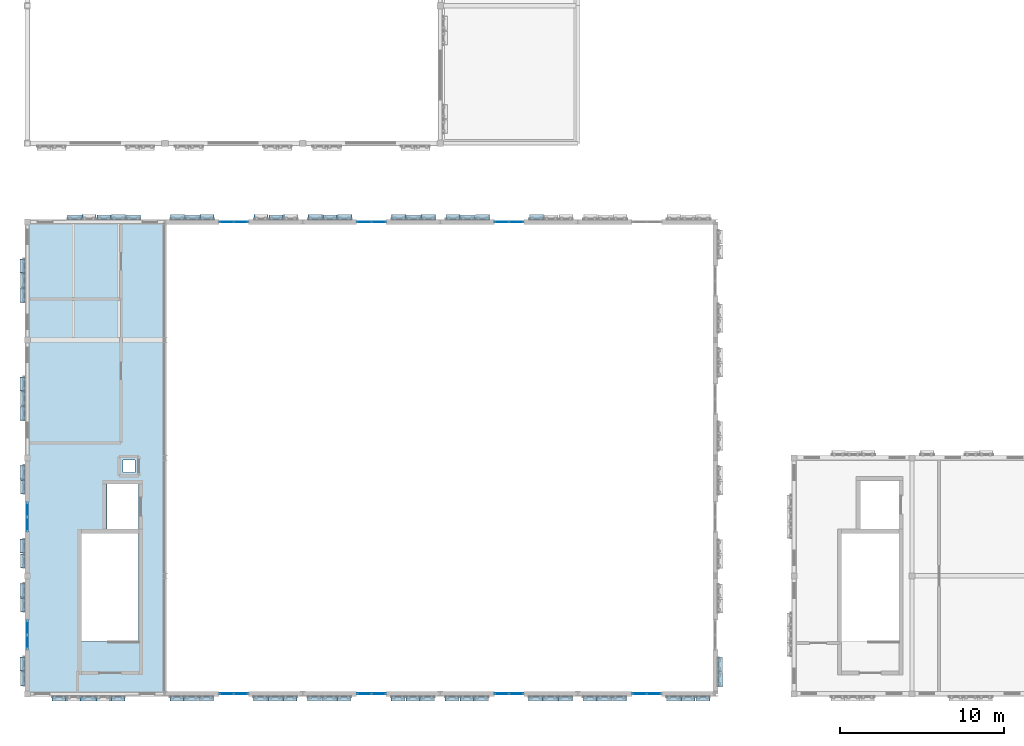
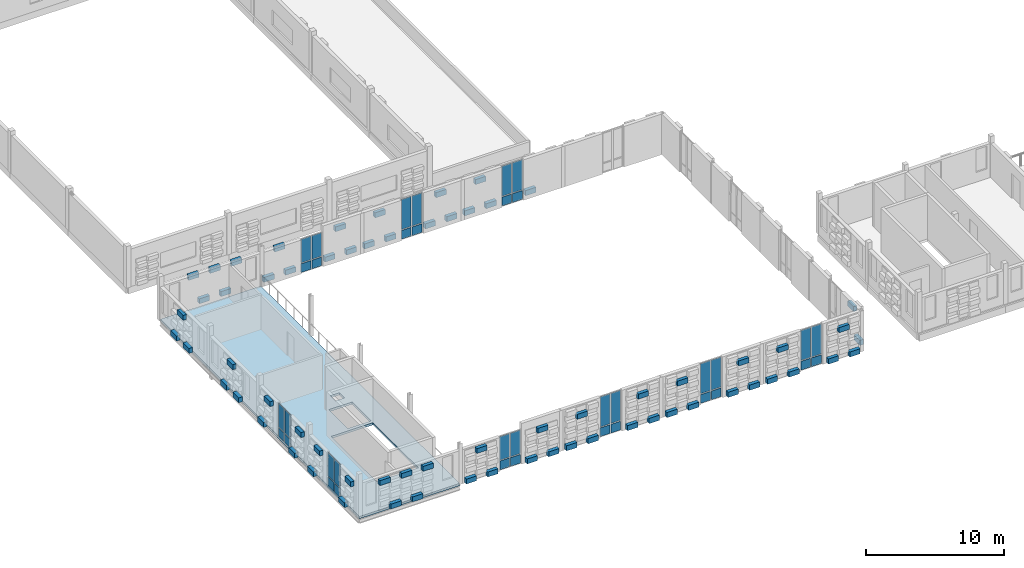
# One storey, part 22 of 57: 102 plates, 1 slab, 9 elements without a shape of their own.
"""IFC4 building model written with IfcOpenShell, lengths in metres."""

import ifcopenshell
import ifcopenshell.guid

model = None  # the IFC model being written
_history = None  # IfcOwnerHistory: only IFC2X3 demands one
_inside = {}  # id of a spatial element -> (the spatial element, [elements in it])
_under = {}  # id of a project, library or spatial element -> (it, [spatial elements below it])
_declared = {}  # id of a project -> (the project, [libraries it declares])
_typed = {}  # id of a type object -> (the type object, [elements of that type])
_made_of = {}  # id of a material, layer set ... -> (it, [elements and type objects made of it])


def new_model(schema):
    """Start an empty IFC model of exactly this schema.

    Asked for "IFC4X3", IfcOpenShell would pick the latest addendum, in which some entities
    have other attributes; the version numbers below select the first issue.
    IFC2X3 requires an IfcOwnerHistory on every rooted entity: one is made here for all.
    """
    global model, _history
    if schema == "IFC4X3":
        model = ifcopenshell.file(schema_version=(4, 3, 0, 0))
    else:
        model = ifcopenshell.file(schema=schema)
    _inside.clear()
    _under.clear()
    _declared.clear()
    _typed.clear()
    _made_of.clear()
    _history = None
    if model.schema == "IFC2X3":
        org = make("IfcOrganization", Name="unknown")
        user = make(
            "IfcPersonAndOrganization",
            ThePerson=make("IfcPerson", FamilyName="unknown"),
            TheOrganization=org,
        )
        app = make(
            "IfcApplication",
            ApplicationDeveloper=org,
            Version="unknown",
            ApplicationFullName="unknown",
            ApplicationIdentifier="unknown",
        )
        _history = make(
            "IfcOwnerHistory",
            OwningUser=user,
            OwningApplication=app,
            ChangeAction="ADDED",
            CreationDate=0,
        )
    return model


def make(cls, **values):
    """One entity of the class cls with the attributes given. An attribute that is None is left unset."""
    return model.create_entity(
        cls, **{name: value for name, value in values.items() if value is not None}
    )


def rooted(cls, **values):
    """An entity with a GlobalId (a new one), such as an element, a storey or a relation."""
    return make(cls, GlobalId=ifcopenshell.guid.new(), OwnerHistory=_history, **values)


def si_unit(unit_type, name, prefix=None):
    """IfcSIUnit, for example si_unit("LENGTHUNIT", "METRE", prefix="MILLI")."""
    return make("IfcSIUnit", UnitType=unit_type, Prefix=prefix, Name=name)


def assignment(units):
    """IfcUnitAssignment: the units of a project."""
    return None if units is None else make("IfcUnitAssignment", Units=units)


def point(xyz):
    """IfcCartesianPoint."""
    return None if xyz is None else make("IfcCartesianPoint", Coordinates=xyz)


def direction(xyz):
    """IfcDirection."""
    return None if xyz is None else make("IfcDirection", DirectionRatios=xyz)


def frame(location, z_axis=None, x_axis=None):
    """IfcAxis2Placement3D, a coordinate frame: its origin and axes. An axis left out is left unset."""
    return make(
        "IfcAxis2Placement3D",
        Location=point(location),
        Axis=direction(z_axis),
        RefDirection=direction(x_axis),
    )


def frame_2d(location, x_axis=None):
    """IfcAxis2Placement2D, a coordinate frame in the plane: its origin and x axis."""
    return make(
        "IfcAxis2Placement2D", Location=point(location), RefDirection=direction(x_axis)
    )


def origin():
    """The frame at (0, 0, 0) with its axes left unset."""
    return frame((0.0, 0.0, 0.0))


def origin_2d():
    """The frame at (0, 0) in the plane with its x axis left unset."""
    return frame_2d((0.0, 0.0))


def place(relative_to, where):
    """IfcLocalPlacement: puts the frame where relative to a parent placement (None: the world)."""
    return make(
        "IfcLocalPlacement", PlacementRelTo=relative_to, RelativePlacement=where
    )


def context(
    kind, dimensions, precision=None, world=None, true_north=None, identifier=None
):
    """IfcGeometricRepresentationContext, for example the 3D "Model" context."""
    return make(
        "IfcGeometricRepresentationContext",
        ContextIdentifier=identifier,
        ContextType=kind,
        CoordinateSpaceDimension=dimensions,
        Precision=precision,
        WorldCoordinateSystem=world,
        TrueNorth=true_north,
    )


def subcontext(parent, identifier, kind, view, scale=None):
    """IfcGeometricRepresentationSubContext, for example "Body" below "Model"."""
    return make(
        "IfcGeometricRepresentationSubContext",
        ContextIdentifier=identifier,
        ContextType=kind,
        ParentContext=parent,
        TargetScale=scale,
        TargetView=view,
    )


def project(units=None, contexts=None):
    """IfcProject with its units and contexts."""
    return rooted(
        "IfcProject",
        Name="project",
        RepresentationContexts=contexts,
        UnitsInContext=assignment(units),
    )


def spatial(cls, under=None, at=None, **own):
    """A site, building, storey or space (cls), placed at a placement, below another one or the project."""
    s = rooted(cls, ObjectPlacement=at, **own)
    if under is not None:
        _under.setdefault(under.id(), (under, []))[1].append(s)
    return s


def polyline(points):
    """IfcPolyline through the points."""
    return make("IfcPolyline", Points=[point(p) for p in points])


def profile(cls, at=None, kind="AREA", **sizes):
    """A parametric profile (cls). Its sizes go by their IFC names, for example OverallWidth=200.0."""
    return make(cls, ProfileType=kind, Position=at, **sizes)


def rectangle(**sizes):
    """IfcRectangleProfileDef."""
    return profile("IfcRectangleProfileDef", **sizes)


def outline(outer, holes=None, kind="AREA"):
    """IfcArbitraryClosedProfileDef: a profile drawn as a closed curve; with holes, ...WithVoids."""
    if holes is None:
        return make("IfcArbitraryClosedProfileDef", ProfileType=kind, OuterCurve=outer)
    return make(
        "IfcArbitraryProfileDefWithVoids",
        ProfileType=kind,
        OuterCurve=outer,
        InnerCurves=holes,
    )


def extrude(swept, where, along, depth):
    """IfcExtrudedAreaSolid: the profile swept, set in the frame where, extruded along a direction by depth."""
    return make(
        "IfcExtrudedAreaSolid",
        SweptArea=swept,
        Position=where,
        ExtrudedDirection=direction(along),
        Depth=depth,
    )


def shape(context_of_items, identifier, shape_type, items):
    """IfcShapeRepresentation: the items that make up one representation, for example the "Body"."""
    return make(
        "IfcShapeRepresentation",
        ContextOfItems=context_of_items,
        RepresentationIdentifier=identifier,
        RepresentationType=shape_type,
        Items=items,
    )


def material(Name=None, Category=None):
    """IfcMaterial."""
    return make("IfcMaterial", Name=Name, Category=Category)


def layer(
    of_material, thickness, ventilated=None, Name=None, Category=None, Priority=None
):
    """IfcMaterialLayer: one layer of a wall or slab, of a material (None: an air gap)."""
    return make(
        "IfcMaterialLayer",
        Material=of_material,
        LayerThickness=thickness,
        IsVentilated=ventilated,
        Name=Name,
        Category=Category,
        Priority=Priority,
    )


def layer_set(layers, Name=None):
    """IfcMaterialLayerSet."""
    return make("IfcMaterialLayerSet", MaterialLayers=layers, LayerSetName=Name)


def made_of(thing, what):
    """Note that an element or type object is made of a material, layer set ...; save() writes the relation."""
    if what is not None:
        _made_of.setdefault(what.id(), (what, []))[1].append(thing)
    return thing


def type_object(cls, material=None, **own):
    """A type object (cls), such as IfcWallType, which elements share."""
    return made_of(rooted(cls, **own), material)


def element(
    cls,
    number,
    at=None,
    inside=None,
    cuts=None,
    type_object=None,
    material=None,
    context=None,
    identifier="Body",
    shape_type=None,
    held_by="IfcProductDefinitionShape",
    body=None,
    shapes=None,
    **own,
):
    """One element of the class cls, such as IfcWall. Its Tag is "e" and its number.

    at: its placement. inside: the storey or other place that contains it. cuts: it is an
    opening in that element (IfcRelVoidsElement). A single representation is given by context,
    identifier, shape_type and body (its items); several are given by shapes. held_by: the class
    of the entity that holds the representations. save() writes the other relations.
    """
    e = rooted(cls, Tag="e%d" % number, ObjectPlacement=at, **own)
    if body is not None:
        shapes = [shape(context, identifier, shape_type, body)]
    if shapes is not None:
        e.Representation = make(held_by, Representations=shapes)
    if inside is not None:
        _inside.setdefault(inside.id(), (inside, []))[1].append(e)
    if cuts is not None:
        rooted(
            "IfcRelVoidsElement", RelatingBuildingElement=cuts, RelatedOpeningElement=e
        )
    if type_object is not None:
        _typed.setdefault(type_object.id(), (type_object, []))[1].append(e)
    return made_of(e, material)


def aggregate(whole, parts):
    """IfcRelAggregates: a whole, such as a stair, and the parts it consists of."""
    return rooted("IfcRelAggregates", RelatingObject=whole, RelatedObjects=parts)


def save(model, path):
    """Write the relations noted so far, then the file.

    IfcRelAggregates (storeys below a building ...), IfcRelContainedInSpatialStructure (elements
    in a storey), IfcRelDefinesByType, IfcRelAssociatesMaterial and IfcRelDeclares: one each for
    every whole, place, type object, material and project.
    """
    for whole, parts in _under.values():
        aggregate(whole, parts)
    for where, things in _inside.values():
        rooted(
            "IfcRelContainedInSpatialStructure",
            RelatedElements=things,
            RelatingStructure=where,
        )
    for kind, things in _typed.values():
        rooted("IfcRelDefinesByType", RelatedObjects=things, RelatingType=kind)
    for what, things in _made_of.values():
        rooted("IfcRelAssociatesMaterial", RelatedObjects=things, RelatingMaterial=what)
    for by, libraries in _declared.values():
        rooted("IfcRelDeclares", RelatingContext=by, RelatedDefinitions=libraries)
    model.write(path)


model = new_model("IFC4")

# Units and contexts
model_context = context("Model", 3, precision=1e-05, world=origin(), true_north=direction((0.0, 1.0)))
body_context = subcontext(model_context, "Body", "Model", "MODEL_VIEW")
ifc_project = project(units=[si_unit("LENGTHUNIT", "METRE"), si_unit("AREAUNIT", "SQUARE_METRE"), si_unit("VOLUMEUNIT", "CUBIC_METRE"), si_unit("PLANEANGLEUNIT", "RADIAN"), si_unit("MASSUNIT", "GRAM", prefix="KILO")], contexts=[model_context])

# Site, building, storey
site_placement = place(None, origin())
site = spatial("IfcSite", under=ifc_project, at=site_placement, CompositionType="ELEMENT")
building_placement = place(site_placement, origin())
building = spatial("IfcBuilding", under=site, at=building_placement, Name="Kahlenmark Community Centre", CompositionType="ELEMENT")
storey_placement = place(building_placement, frame((0.0, 0.0, 13.800048828125)))
storey = spatial("IfcBuildingStorey", under=building, at=storey_placement, Name="L03", CompositionType="ELEMENT", Elevation=13.800048828125)

# Curtain wall, plates
ifc_material_1 = material(Name="Anodised aluminium unitised curtain wall", Category="aluminium")
curtain_wall_type_1 = type_object("IfcCurtainWallType", Name="CWT-UNIT-180X301", PredefinedType="USERDEFINED", material=ifc_material_1)
curtain_wall_1_placement = place(storey_placement, origin())
curtain_wall_1 = element("IfcCurtainWall", 1, at=curtain_wall_1_placement, inside=storey, type_object=curtain_wall_type_1, Name="Unitised curtain wall CW-105", ObjectType="UNITISED CURTAIN WALL", PredefinedType="USERDEFINED")
ifc_material_2 = material(Name="Triple low-e solar-control glass unit", Category="glass")
ifc_layer_1 = layer(ifc_material_2, 0.0439453125)
ifc_layer_set_1 = layer_set([ifc_layer_1], Name="Triple low-e solar-control glass unit")
plate_type_1 = type_object("IfcPlateType", Name="PLT-CW-GLZ-820X2080", PredefinedType="CURTAIN_PANEL", material=ifc_layer_set_1)
plate_1_placement = place(storey_placement, frame((16.14990234375, 8.800048828125, 0.889892578125), z_axis=(0.0, 0.0, 1.0), x_axis=(1.0, 0.0, 0.0)))
plate_1 = element("IfcPlate", 2, at=plate_1_placement, type_object=plate_type_1, Name="CW-105 glazed panel 1", PredefinedType="CURTAIN_PANEL", context=body_context, shape_type="SweptSolid", body=[
    extrude(rectangle(XDim=0.820068359375, YDim=0.0439453125, at=origin_2d()), origin(), (0.0, 0.0, 1.0), 2.080078125),
])
plate_2_placement = place(storey_placement, frame((17.050048828125, 8.800048828125, 0.889892578125), z_axis=(0.0, 0.0, 1.0), x_axis=(1.0, 0.0, 0.0)))
plate_2 = element("IfcPlate", 3, at=plate_2_placement, type_object=plate_type_1, Name="CW-105 glazed panel 2", PredefinedType="CURTAIN_PANEL", context=body_context, shape_type="SweptSolid", body=[
    extrude(rectangle(XDim=0.820068359375, YDim=0.0439453125, at=origin_2d()), origin(), (0.0, 0.0, 1.0), 2.080078125),
])

curtain_wall_2_placement = place(storey_placement, origin())
curtain_wall_2 = element("IfcCurtainWall", 4, at=curtain_wall_2_placement, inside=storey, type_object=curtain_wall_type_1, Name="Unitised curtain wall CW-109", ObjectType="UNITISED CURTAIN WALL", PredefinedType="USERDEFINED")
plate_3_placement = place(storey_placement, frame((17.050048828125, 37.60009765625, 0.889892578125), z_axis=(0.0, 0.0, 1.0), x_axis=(-1.0, 0.0, 0.0)))
plate_3 = element("IfcPlate", 5, at=plate_3_placement, type_object=plate_type_1, Name="CW-109 glazed panel 1", PredefinedType="CURTAIN_PANEL", context=body_context, shape_type="SweptSolid", body=[
    extrude(rectangle(XDim=0.820068359375, YDim=0.0439453125, at=origin_2d()), origin(), (0.0, 0.0, 1.0), 2.080078125),
])
plate_4_placement = place(storey_placement, frame((16.14990234375, 37.60009765625, 0.889892578125), z_axis=(0.0, 0.0, 1.0), x_axis=(-1.0, 0.0, 0.0)))
plate_4 = element("IfcPlate", 6, at=plate_4_placement, type_object=plate_type_1, Name="CW-109 glazed panel 2", PredefinedType="CURTAIN_PANEL", context=body_context, shape_type="SweptSolid", body=[
    extrude(rectangle(XDim=0.820068359375, YDim=0.0439453125, at=origin_2d()), origin(), (0.0, 0.0, 1.0), 2.080078125),
])

curtain_wall_3_placement = place(storey_placement, origin())
curtain_wall_3 = element("IfcCurtainWall", 7, at=curtain_wall_3_placement, inside=storey, type_object=curtain_wall_type_1, Name="Unitised curtain wall CW-113", ObjectType="UNITISED CURTAIN WALL", PredefinedType="USERDEFINED")
plate_5_placement = place(storey_placement, frame((4.0, 12.85009765625, 0.889892578125), z_axis=(0.0, 0.0, 1.0), x_axis=(0.0, -1.0, 0.0)))
plate_5 = element("IfcPlate", 8, at=plate_5_placement, type_object=plate_type_1, Name="CW-113 glazed panel 1", PredefinedType="CURTAIN_PANEL", context=body_context, shape_type="SweptSolid", body=[
    extrude(rectangle(XDim=0.820068359375, YDim=0.0439453125, at=origin_2d()), origin(), (0.0, 0.0, 1.0), 2.080078125),
])
plate_6_placement = place(storey_placement, frame((4.0, 11.949951171875, 0.889892578125), z_axis=(0.0, 0.0, 1.0), x_axis=(0.0, -1.0, 0.0)))
plate_6 = element("IfcPlate", 9, at=plate_6_placement, type_object=plate_type_1, Name="CW-113 glazed panel 2", PredefinedType="CURTAIN_PANEL", context=body_context, shape_type="SweptSolid", body=[
    extrude(rectangle(XDim=0.820068359375, YDim=0.0439453125, at=origin_2d()), origin(), (0.0, 0.0, 1.0), 2.080078125),
])

curtain_wall_4_placement = place(storey_placement, origin())
curtain_wall_4 = element("IfcCurtainWall", 10, at=curtain_wall_4_placement, inside=storey, type_object=curtain_wall_type_1, Name="Unitised curtain wall CW-114", ObjectType="UNITISED CURTAIN WALL", PredefinedType="USERDEFINED")
plate_7_placement = place(storey_placement, frame((4.0, 20.050048828125, 0.889892578125), z_axis=(0.0, 0.0, 1.0), x_axis=(0.0, -1.0, 0.0)))
plate_7 = element("IfcPlate", 11, at=plate_7_placement, type_object=plate_type_1, Name="CW-114 glazed panel 1", PredefinedType="CURTAIN_PANEL", context=body_context, shape_type="SweptSolid", body=[
    extrude(rectangle(XDim=0.820068359375, YDim=0.0439453125, at=origin_2d()), origin(), (0.0, 0.0, 1.0), 2.080078125),
])
plate_8_placement = place(storey_placement, frame((4.0, 19.14990234375, 0.889892578125), z_axis=(0.0, 0.0, 1.0), x_axis=(0.0, -1.0, 0.0)))
plate_8 = element("IfcPlate", 12, at=plate_8_placement, type_object=plate_type_1, Name="CW-114 glazed panel 2", PredefinedType="CURTAIN_PANEL", context=body_context, shape_type="SweptSolid", body=[
    extrude(rectangle(XDim=0.820068359375, YDim=0.0439453125, at=origin_2d()), origin(), (0.0, 0.0, 1.0), 2.080078125),
])

curtain_wall_type_2 = type_object("IfcCurtainWallType", Name="CWT-UNIT-180X359", PredefinedType="USERDEFINED", material=ifc_material_1)
curtain_wall_5_placement = place(storey_placement, origin())
curtain_wall_5 = element("IfcCurtainWall", 13, at=curtain_wall_5_placement, inside=storey, type_object=curtain_wall_type_2, Name="Unitised curtain wall CW-106", ObjectType="UNITISED CURTAIN WALL", PredefinedType="USERDEFINED")
ifc_layer_2 = layer(ifc_material_2, 0.0439453125)
ifc_layer_set_2 = layer_set([ifc_layer_2], Name="Triple low-e solar-control glass unit")
plate_type_2 = type_object("IfcPlateType", Name="PLT-CW-GLZ-820X2660", PredefinedType="CURTAIN_PANEL", material=ifc_layer_set_2)
plate_9_placement = place(storey_placement, frame((24.550048828125, 8.800048828125, 0.89013671875), z_axis=(0.0, 0.0, 1.0), x_axis=(1.0, 0.0, 0.0)))
plate_9 = element("IfcPlate", 14, at=plate_9_placement, type_object=plate_type_2, Name="CW-106 glazed panel 1", PredefinedType="CURTAIN_PANEL", context=body_context, shape_type="SweptSolid", body=[
    extrude(rectangle(XDim=0.820068359375, YDim=0.0439453125, at=origin_2d()), origin(), (0.0, 0.0, 1.0), 2.659912109375),
])
plate_10_placement = place(storey_placement, frame((25.449951171875, 8.800048828125, 0.89013671875), z_axis=(0.0, 0.0, 1.0), x_axis=(1.0, 0.0, 0.0)))
plate_10 = element("IfcPlate", 15, at=plate_10_placement, type_object=plate_type_2, Name="CW-106 glazed panel 2", PredefinedType="CURTAIN_PANEL", context=body_context, shape_type="SweptSolid", body=[
    extrude(rectangle(XDim=0.820068359375, YDim=0.0439453125, at=origin_2d()), origin(), (0.0, 0.0, 1.0), 2.659912109375),
])

curtain_wall_6_placement = place(storey_placement, origin())
curtain_wall_6 = element("IfcCurtainWall", 16, at=curtain_wall_6_placement, inside=storey, type_object=curtain_wall_type_2, Name="Unitised curtain wall CW-107", ObjectType="UNITISED CURTAIN WALL", PredefinedType="USERDEFINED")
plate_11_placement = place(storey_placement, frame((32.949951171875, 8.800048828125, 0.89013671875), z_axis=(0.0, 0.0, 1.0), x_axis=(1.0, 0.0, 0.0)))
plate_11 = element("IfcPlate", 17, at=plate_11_placement, type_object=plate_type_2, Name="CW-107 glazed panel 1", PredefinedType="CURTAIN_PANEL", context=body_context, shape_type="SweptSolid", body=[
    extrude(rectangle(XDim=0.820068359375, YDim=0.0439453125, at=origin_2d()), origin(), (0.0, 0.0, 1.0), 2.659912109375),
])
plate_12_placement = place(storey_placement, frame((33.85009765625, 8.800048828125, 0.89013671875), z_axis=(0.0, 0.0, 1.0), x_axis=(1.0, 0.0, 0.0)))
plate_12 = element("IfcPlate", 18, at=plate_12_placement, type_object=plate_type_2, Name="CW-107 glazed panel 2", PredefinedType="CURTAIN_PANEL", context=body_context, shape_type="SweptSolid", body=[
    extrude(rectangle(XDim=0.820068359375, YDim=0.0439453125, at=origin_2d()), origin(), (0.0, 0.0, 1.0), 2.659912109375),
])

curtain_wall_7_placement = place(storey_placement, origin())
curtain_wall_7 = element("IfcCurtainWall", 19, at=curtain_wall_7_placement, inside=storey, type_object=curtain_wall_type_2, Name="Unitised curtain wall CW-108", ObjectType="UNITISED CURTAIN WALL", PredefinedType="USERDEFINED")
plate_13_placement = place(storey_placement, frame((41.35009765625, 8.800048828125, 0.89013671875), z_axis=(0.0, 0.0, 1.0), x_axis=(1.0, 0.0, 0.0)))
plate_13 = element("IfcPlate", 20, at=plate_13_placement, type_object=plate_type_2, Name="CW-108 glazed panel 1", PredefinedType="CURTAIN_PANEL", context=body_context, shape_type="SweptSolid", body=[
    extrude(rectangle(XDim=0.820068359375, YDim=0.0439453125, at=origin_2d()), origin(), (0.0, 0.0, 1.0), 2.659912109375),
])
plate_14_placement = place(storey_placement, frame((42.25, 8.800048828125, 0.89013671875), z_axis=(0.0, 0.0, 1.0), x_axis=(1.0, 0.0, 0.0)))
plate_14 = element("IfcPlate", 21, at=plate_14_placement, type_object=plate_type_2, Name="CW-108 glazed panel 2", PredefinedType="CURTAIN_PANEL", context=body_context, shape_type="SweptSolid", body=[
    extrude(rectangle(XDim=0.820068359375, YDim=0.0439453125, at=origin_2d()), origin(), (0.0, 0.0, 1.0), 2.659912109375),
])

curtain_wall_8_placement = place(storey_placement, origin())
curtain_wall_8 = element("IfcCurtainWall", 22, at=curtain_wall_8_placement, inside=storey, type_object=curtain_wall_type_2, Name="Unitised curtain wall CW-110", ObjectType="UNITISED CURTAIN WALL", PredefinedType="USERDEFINED")
plate_15_placement = place(storey_placement, frame((25.449951171875, 37.60009765625, 0.89013671875), z_axis=(0.0, 0.0, 1.0), x_axis=(-1.0, 0.0, 0.0)))
plate_15 = element("IfcPlate", 23, at=plate_15_placement, type_object=plate_type_2, Name="CW-110 glazed panel 1", PredefinedType="CURTAIN_PANEL", context=body_context, shape_type="SweptSolid", body=[
    extrude(rectangle(XDim=0.820068359375, YDim=0.0439453125, at=origin_2d()), origin(), (0.0, 0.0, 1.0), 2.659912109375),
])
plate_16_placement = place(storey_placement, frame((24.550048828125, 37.60009765625, 0.89013671875), z_axis=(0.0, 0.0, 1.0), x_axis=(-1.0, 0.0, 0.0)))
plate_16 = element("IfcPlate", 24, at=plate_16_placement, type_object=plate_type_2, Name="CW-110 glazed panel 2", PredefinedType="CURTAIN_PANEL", context=body_context, shape_type="SweptSolid", body=[
    extrude(rectangle(XDim=0.820068359375, YDim=0.0439453125, at=origin_2d()), origin(), (0.0, 0.0, 1.0), 2.659912109375),
])

curtain_wall_9_placement = place(storey_placement, origin())
curtain_wall_9 = element("IfcCurtainWall", 25, at=curtain_wall_9_placement, inside=storey, type_object=curtain_wall_type_2, Name="Unitised curtain wall CW-111", ObjectType="UNITISED CURTAIN WALL", PredefinedType="USERDEFINED")
plate_17_placement = place(storey_placement, frame((33.85009765625, 37.60009765625, 0.89013671875), z_axis=(0.0, 0.0, 1.0), x_axis=(-1.0, 0.0, 0.0)))
plate_17 = element("IfcPlate", 26, at=plate_17_placement, type_object=plate_type_2, Name="CW-111 glazed panel 1", PredefinedType="CURTAIN_PANEL", context=body_context, shape_type="SweptSolid", body=[
    extrude(rectangle(XDim=0.820068359375, YDim=0.0439453125, at=origin_2d()), origin(), (0.0, 0.0, 1.0), 2.659912109375),
])
plate_18_placement = place(storey_placement, frame((32.949951171875, 37.60009765625, 0.89013671875), z_axis=(0.0, 0.0, 1.0), x_axis=(-1.0, 0.0, 0.0)))
plate_18 = element("IfcPlate", 27, at=plate_18_placement, type_object=plate_type_2, Name="CW-111 glazed panel 2", PredefinedType="CURTAIN_PANEL", context=body_context, shape_type="SweptSolid", body=[
    extrude(rectangle(XDim=0.820068359375, YDim=0.0439453125, at=origin_2d()), origin(), (0.0, 0.0, 1.0), 2.659912109375),
])

# Plate
ifc_material_3 = material(Name="Warm terracotta insulated spandrel cassette", Category="masonry")
ifc_layer_3 = layer(ifc_material_3, 0.06005859375)
ifc_layer_set_3 = layer_set([ifc_layer_3], Name="Warm terracotta insulated spandrel cassette")
plate_type_3 = type_object("IfcPlateType", Name="PLT-CW-SPD-820X770", PredefinedType="CURTAIN_PANEL", material=ifc_layer_set_3)
plate_19_placement = place(storey_placement, frame((16.14990234375, 8.800048828125, 0.0400390625), z_axis=(0.0, 0.0, 1.0), x_axis=(1.0, 0.0, 0.0)))
plate_19 = element("IfcPlate", 28, at=plate_19_placement, type_object=plate_type_3, Name="CW-105 spandrel 1", PredefinedType="CURTAIN_PANEL", context=body_context, shape_type="SweptSolid", body=[
    extrude(rectangle(XDim=0.820068359375, YDim=0.06005859375, at=origin_2d()), origin(), (0.0, 0.0, 1.0), 0.77001953125),
])

plate_20_placement = place(storey_placement, frame((17.050048828125, 8.800048828125, 0.0400390625), z_axis=(0.0, 0.0, 1.0), x_axis=(1.0, 0.0, 0.0)))
plate_20 = element("IfcPlate", 29, at=plate_20_placement, type_object=plate_type_3, Name="CW-105 spandrel 2", PredefinedType="CURTAIN_PANEL", context=body_context, shape_type="SweptSolid", body=[
    extrude(rectangle(XDim=0.820068359375, YDim=0.06005859375, at=origin_2d()), origin(), (0.0, 0.0, 1.0), 0.77001953125),
])

aggregate(curtain_wall_1, [plate_19, plate_1, plate_20, plate_2])

plate_21_placement = place(storey_placement, frame((24.550048828125, 8.800048828125, 0.0400390625), z_axis=(0.0, 0.0, 1.0), x_axis=(1.0, 0.0, 0.0)))
plate_21 = element("IfcPlate", 30, at=plate_21_placement, type_object=plate_type_3, Name="CW-106 spandrel 1", PredefinedType="CURTAIN_PANEL", context=body_context, shape_type="SweptSolid", body=[
    extrude(rectangle(XDim=0.820068359375, YDim=0.06005859375, at=origin_2d()), origin(), (0.0, 0.0, 1.0), 0.77001953125),
])

plate_22_placement = place(storey_placement, frame((25.449951171875, 8.800048828125, 0.0400390625), z_axis=(0.0, 0.0, 1.0), x_axis=(1.0, 0.0, 0.0)))
plate_22 = element("IfcPlate", 31, at=plate_22_placement, type_object=plate_type_3, Name="CW-106 spandrel 2", PredefinedType="CURTAIN_PANEL", context=body_context, shape_type="SweptSolid", body=[
    extrude(rectangle(XDim=0.820068359375, YDim=0.06005859375, at=origin_2d()), origin(), (0.0, 0.0, 1.0), 0.77001953125),
])

aggregate(curtain_wall_5, [plate_21, plate_9, plate_22, plate_10])

plate_23_placement = place(storey_placement, frame((32.949951171875, 8.800048828125, 0.0400390625), z_axis=(0.0, 0.0, 1.0), x_axis=(1.0, 0.0, 0.0)))
plate_23 = element("IfcPlate", 32, at=plate_23_placement, type_object=plate_type_3, Name="CW-107 spandrel 1", PredefinedType="CURTAIN_PANEL", context=body_context, shape_type="SweptSolid", body=[
    extrude(rectangle(XDim=0.820068359375, YDim=0.06005859375, at=origin_2d()), origin(), (0.0, 0.0, 1.0), 0.77001953125),
])

plate_24_placement = place(storey_placement, frame((33.85009765625, 8.800048828125, 0.0400390625), z_axis=(0.0, 0.0, 1.0), x_axis=(1.0, 0.0, 0.0)))
plate_24 = element("IfcPlate", 33, at=plate_24_placement, type_object=plate_type_3, Name="CW-107 spandrel 2", PredefinedType="CURTAIN_PANEL", context=body_context, shape_type="SweptSolid", body=[
    extrude(rectangle(XDim=0.820068359375, YDim=0.06005859375, at=origin_2d()), origin(), (0.0, 0.0, 1.0), 0.77001953125),
])

aggregate(curtain_wall_6, [plate_23, plate_11, plate_24, plate_12])

plate_25_placement = place(storey_placement, frame((41.35009765625, 8.800048828125, 0.0400390625), z_axis=(0.0, 0.0, 1.0), x_axis=(1.0, 0.0, 0.0)))
plate_25 = element("IfcPlate", 34, at=plate_25_placement, type_object=plate_type_3, Name="CW-108 spandrel 1", PredefinedType="CURTAIN_PANEL", context=body_context, shape_type="SweptSolid", body=[
    extrude(rectangle(XDim=0.820068359375, YDim=0.06005859375, at=origin_2d()), origin(), (0.0, 0.0, 1.0), 0.77001953125),
])

plate_26_placement = place(storey_placement, frame((42.25, 8.800048828125, 0.0400390625), z_axis=(0.0, 0.0, 1.0), x_axis=(1.0, 0.0, 0.0)))
plate_26 = element("IfcPlate", 35, at=plate_26_placement, type_object=plate_type_3, Name="CW-108 spandrel 2", PredefinedType="CURTAIN_PANEL", context=body_context, shape_type="SweptSolid", body=[
    extrude(rectangle(XDim=0.820068359375, YDim=0.06005859375, at=origin_2d()), origin(), (0.0, 0.0, 1.0), 0.77001953125),
])

aggregate(curtain_wall_7, [plate_25, plate_13, plate_26, plate_14])

plate_27_placement = place(storey_placement, frame((17.050048828125, 37.60009765625, 0.0400390625), z_axis=(0.0, 0.0, 1.0), x_axis=(-1.0, 0.0, 0.0)))
plate_27 = element("IfcPlate", 36, at=plate_27_placement, type_object=plate_type_3, Name="CW-109 spandrel 1", PredefinedType="CURTAIN_PANEL", context=body_context, shape_type="SweptSolid", body=[
    extrude(rectangle(XDim=0.820068359375, YDim=0.06005859375, at=origin_2d()), origin(), (0.0, 0.0, 1.0), 0.77001953125),
])

plate_28_placement = place(storey_placement, frame((16.14990234375, 37.60009765625, 0.0400390625), z_axis=(0.0, 0.0, 1.0), x_axis=(-1.0, 0.0, 0.0)))
plate_28 = element("IfcPlate", 37, at=plate_28_placement, type_object=plate_type_3, Name="CW-109 spandrel 2", PredefinedType="CURTAIN_PANEL", context=body_context, shape_type="SweptSolid", body=[
    extrude(rectangle(XDim=0.820068359375, YDim=0.06005859375, at=origin_2d()), origin(), (0.0, 0.0, 1.0), 0.77001953125),
])

aggregate(curtain_wall_2, [plate_27, plate_3, plate_28, plate_4])

plate_29_placement = place(storey_placement, frame((25.449951171875, 37.60009765625, 0.0400390625), z_axis=(0.0, 0.0, 1.0), x_axis=(-1.0, 0.0, 0.0)))
plate_29 = element("IfcPlate", 38, at=plate_29_placement, type_object=plate_type_3, Name="CW-110 spandrel 1", PredefinedType="CURTAIN_PANEL", context=body_context, shape_type="SweptSolid", body=[
    extrude(rectangle(XDim=0.820068359375, YDim=0.06005859375, at=origin_2d()), origin(), (0.0, 0.0, 1.0), 0.77001953125),
])

plate_30_placement = place(storey_placement, frame((24.550048828125, 37.60009765625, 0.0400390625), z_axis=(0.0, 0.0, 1.0), x_axis=(-1.0, 0.0, 0.0)))
plate_30 = element("IfcPlate", 39, at=plate_30_placement, type_object=plate_type_3, Name="CW-110 spandrel 2", PredefinedType="CURTAIN_PANEL", context=body_context, shape_type="SweptSolid", body=[
    extrude(rectangle(XDim=0.820068359375, YDim=0.06005859375, at=origin_2d()), origin(), (0.0, 0.0, 1.0), 0.77001953125),
])

aggregate(curtain_wall_8, [plate_29, plate_15, plate_30, plate_16])

plate_31_placement = place(storey_placement, frame((33.85009765625, 37.60009765625, 0.0400390625), z_axis=(0.0, 0.0, 1.0), x_axis=(-1.0, 0.0, 0.0)))
plate_31 = element("IfcPlate", 40, at=plate_31_placement, type_object=plate_type_3, Name="CW-111 spandrel 1", PredefinedType="CURTAIN_PANEL", context=body_context, shape_type="SweptSolid", body=[
    extrude(rectangle(XDim=0.820068359375, YDim=0.06005859375, at=origin_2d()), origin(), (0.0, 0.0, 1.0), 0.77001953125),
])

plate_32_placement = place(storey_placement, frame((32.949951171875, 37.60009765625, 0.0400390625), z_axis=(0.0, 0.0, 1.0), x_axis=(-1.0, 0.0, 0.0)))
plate_32 = element("IfcPlate", 41, at=plate_32_placement, type_object=plate_type_3, Name="CW-111 spandrel 2", PredefinedType="CURTAIN_PANEL", context=body_context, shape_type="SweptSolid", body=[
    extrude(rectangle(XDim=0.820068359375, YDim=0.06005859375, at=origin_2d()), origin(), (0.0, 0.0, 1.0), 0.77001953125),
])

aggregate(curtain_wall_9, [plate_31, plate_17, plate_32, plate_18])

plate_33_placement = place(storey_placement, frame((4.0, 12.85009765625, 0.0400390625), z_axis=(0.0, 0.0, 1.0), x_axis=(0.0, -1.0, 0.0)))
plate_33 = element("IfcPlate", 42, at=plate_33_placement, type_object=plate_type_3, Name="CW-113 spandrel 1", PredefinedType="CURTAIN_PANEL", context=body_context, shape_type="SweptSolid", body=[
    extrude(rectangle(XDim=0.820068359375, YDim=0.06005859375, at=origin_2d()), origin(), (0.0, 0.0, 1.0), 0.77001953125),
])

plate_34_placement = place(storey_placement, frame((4.0, 11.949951171875, 0.0400390625), z_axis=(0.0, 0.0, 1.0), x_axis=(0.0, -1.0, 0.0)))
plate_34 = element("IfcPlate", 43, at=plate_34_placement, type_object=plate_type_3, Name="CW-113 spandrel 2", PredefinedType="CURTAIN_PANEL", context=body_context, shape_type="SweptSolid", body=[
    extrude(rectangle(XDim=0.820068359375, YDim=0.06005859375, at=origin_2d()), origin(), (0.0, 0.0, 1.0), 0.77001953125),
])

aggregate(curtain_wall_3, [plate_33, plate_5, plate_34, plate_6])

plate_35_placement = place(storey_placement, frame((4.0, 20.050048828125, 0.0400390625), z_axis=(0.0, 0.0, 1.0), x_axis=(0.0, -1.0, 0.0)))
plate_35 = element("IfcPlate", 44, at=plate_35_placement, type_object=plate_type_3, Name="CW-114 spandrel 1", PredefinedType="CURTAIN_PANEL", context=body_context, shape_type="SweptSolid", body=[
    extrude(rectangle(XDim=0.820068359375, YDim=0.06005859375, at=origin_2d()), origin(), (0.0, 0.0, 1.0), 0.77001953125),
])

plate_36_placement = place(storey_placement, frame((4.0, 19.14990234375, 0.0400390625), z_axis=(0.0, 0.0, 1.0), x_axis=(0.0, -1.0, 0.0)))
plate_36 = element("IfcPlate", 45, at=plate_36_placement, type_object=plate_type_3, Name="CW-114 spandrel 2", PredefinedType="CURTAIN_PANEL", context=body_context, shape_type="SweptSolid", body=[
    extrude(rectangle(XDim=0.820068359375, YDim=0.06005859375, at=origin_2d()), origin(), (0.0, 0.0, 1.0), 0.77001953125),
])

aggregate(curtain_wall_4, [plate_35, plate_7, plate_36, plate_8])

# Plates
ifc_material_4 = material(Name="Extruded glazed terracotta weave cassette", Category="masonry")
ifc_layer_4 = layer(ifc_material_4, 0.300048828125)
ifc_layer_set_4 = layer_set([ifc_layer_4], Name="Extruded glazed terracotta weave cassette")
plate_type_4 = type_object("IfcPlateType", Name="PLT-TC-TC-R34-860X300X435", PredefinedType="SHEET", material=ifc_layer_set_4)
for number, where, z_axis, x_axis, name in (
    (46, (6.830078125, 8.5, 0.099853515625), (0.0, 0.0, 1.0), (1.0, 0.0, 0.0), "Basketweave terracotta cassette 3382"),
    (47, (8.6298828125, 8.5, 0.099853515625), (0.0, 0.0, 1.0), (1.0, 0.0, 0.0), "Basketweave terracotta cassette 3394"),
    (48, (13.1298828125, 8.5, 0.099853515625), (0.0, 0.0, 1.0), (1.0, 0.0, 0.0), "Basketweave terracotta cassette 3406"),
    (49, (14.929931640625, 8.5, 0.099853515625), (0.0, 0.0, 1.0), (1.0, 0.0, 0.0), "Basketweave terracotta cassette 3418"),
    (50, (18.22998046875, 8.5, 0.099853515625), (0.0, 0.0, 1.0), (1.0, 0.0, 0.0), "Basketweave terracotta cassette 3424"),
    (51, (20.030029296875, 8.5, 0.099853515625), (0.0, 0.0, 1.0), (1.0, 0.0, 0.0), "Basketweave terracotta cassette 3436"),
    (52, (9.570068359375, 37.89990234375, 0.099853515625), (0.0, 0.0, 1.0), (-1.0, 0.0, 0.0), "Basketweave terracotta cassette 3574"),
    (53, (7.77001953125, 37.89990234375, 0.099853515625), (0.0, 0.0, 1.0), (-1.0, 0.0, 0.0), "Basketweave terracotta cassette 3586"),
    (54, (20.070068359375, 37.89990234375, 0.099853515625), (0.0, 0.0, 1.0), (-1.0, 0.0, 0.0), "Basketweave terracotta cassette 3598"),
    (55, (18.27001953125, 37.89990234375, 0.099853515625), (0.0, 0.0, 1.0), (-1.0, 0.0, 0.0), "Basketweave terracotta cassette 3610"),
    (56, (14.969970703125, 37.89990234375, 0.099853515625), (0.0, 0.0, 1.0), (-1.0, 0.0, 0.0), "Basketweave terracotta cassette 3616"),
    (57, (13.169921875, 37.89990234375, 0.099853515625), (0.0, 0.0, 1.0), (-1.0, 0.0, 0.0), "Basketweave terracotta cassette 3628"),
    (58, (3.699951171875, 15.1201171875, 0.099853515625), (0.0, 0.0, 1.0), (0.0, -1.0, 0.0), "Basketweave terracotta cassette 3760"),
    (59, (3.699951171875, 10.6201171875, 0.099853515625), (0.0, 0.0, 1.0), (0.0, -1.0, 0.0), "Basketweave terracotta cassette 3772"),
    (60, (3.699951171875, 22.320068359375, 0.099853515625), (0.0, 0.0, 1.0), (0.0, -1.0, 0.0), "Basketweave terracotta cassette 3784"),
    (61, (3.699951171875, 17.820068359375, 0.099853515625), (0.0, 0.0, 1.0), (0.0, -1.0, 0.0), "Basketweave terracotta cassette 3796"),
    (62, (3.699951171875, 27.719970703125, 0.099853515625), (0.0, 0.0, 1.0), (0.0, -1.0, 0.0), "Basketweave terracotta cassette 3808"),
    (63, (3.699951171875, 25.919921875, 0.099853515625), (0.0, 0.0, 1.0), (0.0, -1.0, 0.0), "Basketweave terracotta cassette 3820"),
    (64, (3.699951171875, 34.919921875, 0.099853515625), (0.0, 0.0, 1.0), (0.0, -1.0, 0.0), "Basketweave terracotta cassette 3826"),
    (65, (3.699951171875, 33.1201171875, 0.099853515625), (0.0, 0.0, 1.0), (0.0, -1.0, 0.0), "Basketweave terracotta cassette 3838"),
):
    element("IfcPlate", number, at=place(storey_placement, frame(where, z_axis=z_axis, x_axis=x_axis)), inside=storey, type_object=plate_type_4, Name=name, PredefinedType="SHEET", context=body_context, shape_type="SweptSolid", body=[
        extrude(rectangle(XDim=0.860107421875, YDim=0.300048828125, at=origin_2d()), origin(), (0.0, 0.0, 1.0), 0.43505859375),
    ])
ifc_layer_5 = layer(ifc_material_4, 0.300048828125)
ifc_layer_set_5 = layer_set([ifc_layer_5], Name="Extruded glazed terracotta weave cassette")
plate_type_5 = type_object("IfcPlateType", Name="PLT-TC-TC-R34-860X300X450", PredefinedType="SHEET", material=ifc_layer_set_5)
for number, where, z_axis, x_axis, name in (
    (66, (21.530029296875, 8.5, 0.10009765625), (0.0, 0.0, 1.0), (1.0, 0.0, 0.0), "Basketweave terracotta cassette 3442"),
    (67, (23.330078125, 8.5, 0.10009765625), (0.0, 0.0, 1.0), (1.0, 0.0, 0.0), "Basketweave terracotta cassette 3456"),
    (68, (26.6298828125, 8.5, 0.10009765625), (0.0, 0.0, 1.0), (1.0, 0.0, 0.0), "Basketweave terracotta cassette 3463"),
    (69, (28.429931640625, 8.5, 0.10009765625), (0.0, 0.0, 1.0), (1.0, 0.0, 0.0), "Basketweave terracotta cassette 3477"),
    (70, (29.929931640625, 8.5, 0.10009765625), (0.0, 0.0, 1.0), (1.0, 0.0, 0.0), "Basketweave terracotta cassette 3484"),
    (71, (31.72998046875, 8.5, 0.10009765625), (0.0, 0.0, 1.0), (1.0, 0.0, 0.0), "Basketweave terracotta cassette 3498"),
    (72, (35.030029296875, 8.5, 0.10009765625), (0.0, 0.0, 1.0), (1.0, 0.0, 0.0), "Basketweave terracotta cassette 3505"),
    (73, (36.830078125, 8.5, 0.10009765625), (0.0, 0.0, 1.0), (1.0, 0.0, 0.0), "Basketweave terracotta cassette 3519"),
    (74, (38.330078125, 8.5, 0.10009765625), (0.0, 0.0, 1.0), (1.0, 0.0, 0.0), "Basketweave terracotta cassette 3526"),
    (75, (40.1298828125, 8.5, 0.10009765625), (0.0, 0.0, 1.0), (1.0, 0.0, 0.0), "Basketweave terracotta cassette 3540"),
    (76, (43.429931640625, 8.5, 0.10009765625), (0.0, 0.0, 1.0), (1.0, 0.0, 0.0), "Basketweave terracotta cassette 3547"),
    (77, (45.22998046875, 8.5, 0.10009765625), (0.0, 0.0, 1.0), (1.0, 0.0, 0.0), "Basketweave terracotta cassette 3561"),
    (78, (28.469970703125, 37.89990234375, 0.10009765625), (0.0, 0.0, 1.0), (-1.0, 0.0, 0.0), "Basketweave terracotta cassette 3634"),
    (79, (26.669921875, 37.89990234375, 0.10009765625), (0.0, 0.0, 1.0), (-1.0, 0.0, 0.0), "Basketweave terracotta cassette 3648"),
    (80, (23.3701171875, 37.89990234375, 0.10009765625), (0.0, 0.0, 1.0), (-1.0, 0.0, 0.0), "Basketweave terracotta cassette 3655"),
    (81, (21.570068359375, 37.89990234375, 0.10009765625), (0.0, 0.0, 1.0), (-1.0, 0.0, 0.0), "Basketweave terracotta cassette 3669"),
    (82, (35.070068359375, 37.89990234375, 0.10009765625), (0.0, 0.0, 1.0), (-1.0, 0.0, 0.0), "Basketweave terracotta cassette 3690"),
    (83, (31.77001953125, 37.89990234375, 0.10009765625), (0.0, 0.0, 1.0), (-1.0, 0.0, 0.0), "Basketweave terracotta cassette 3697"),
    (84, (29.969970703125, 37.89990234375, 0.10009765625), (0.0, 0.0, 1.0), (-1.0, 0.0, 0.0), "Basketweave terracotta cassette 3711"),
    (85, (46.300048828125, 9.679931640625, 0.10009765625), (0.0, 0.0, 1.0), (0.0, 1.0, 0.0), "Basketweave terracotta cassette 3844"),
):
    element("IfcPlate", number, at=place(storey_placement, frame(where, z_axis=z_axis, x_axis=x_axis)), inside=storey, type_object=plate_type_5, Name=name, PredefinedType="SHEET", context=body_context, shape_type="SweptSolid", body=[
        extrude(rectangle(XDim=0.860107421875, YDim=0.300048828125, at=origin_2d()), origin(), (0.0, 0.0, 1.0), 0.449951171875),
    ])
ifc_layer_6 = layer(ifc_material_4, 0.280029296875)
ifc_layer_set_6 = layer_set([ifc_layer_6], Name="Extruded glazed terracotta weave cassette")
plate_type_6 = type_object("IfcPlateType", Name="PLT-TC-TC-W30-860X280X435", PredefinedType="SHEET", material=ifc_layer_set_6)
for number, where, z_axis, x_axis, name in (
    (86, (5.929931640625, 8.510009765625, 2.474853515625), (0.0, 0.0, 1.0), (1.0, 0.0, 0.0), "Basketweave terracotta cassette 3381"),
    (87, (7.72998046875, 8.510009765625, 2.474853515625), (0.0, 0.0, 1.0), (1.0, 0.0, 0.0), "Basketweave terracotta cassette 3393"),
    (88, (9.530029296875, 8.510009765625, 2.474853515625), (0.0, 0.0, 1.0), (1.0, 0.0, 0.0), "Basketweave terracotta cassette 3405"),
    (89, (14.030029296875, 8.510009765625, 2.474853515625), (0.0, 0.0, 1.0), (1.0, 0.0, 0.0), "Basketweave terracotta cassette 3417"),
    (90, (19.1298828125, 8.510009765625, 2.474853515625), (0.0, 0.0, 1.0), (1.0, 0.0, 0.0), "Basketweave terracotta cassette 3435"),
    (91, (10.469970703125, 37.889892578125, 2.474853515625), (0.0, 0.0, 1.0), (-1.0, 0.0, 0.0), "Basketweave terracotta cassette 3573"),
    (92, (8.669921875, 37.889892578125, 2.474853515625), (0.0, 0.0, 1.0), (-1.0, 0.0, 0.0), "Basketweave terracotta cassette 3585"),
    (93, (6.8701171875, 37.889892578125, 2.474853515625), (0.0, 0.0, 1.0), (-1.0, 0.0, 0.0), "Basketweave terracotta cassette 3597"),
    (94, (19.169921875, 37.889892578125, 2.474853515625), (0.0, 0.0, 1.0), (-1.0, 0.0, 0.0), "Basketweave terracotta cassette 3609"),
    (95, (14.070068359375, 37.889892578125, 2.474853515625), (0.0, 0.0, 1.0), (-1.0, 0.0, 0.0), "Basketweave terracotta cassette 3627"),
    (96, (3.7099609375, 14.219970703125, 2.474853515625), (0.0, 0.0, 1.0), (0.0, -1.0, 0.0), "Basketweave terracotta cassette 3771"),
    (97, (3.7099609375, 9.719970703125, 2.474853515625), (0.0, 0.0, 1.0), (0.0, -1.0, 0.0), "Basketweave terracotta cassette 3783"),
    (98, (3.7099609375, 21.419921875, 2.474853515625), (0.0, 0.0, 1.0), (0.0, -1.0, 0.0), "Basketweave terracotta cassette 3795"),
    (99, (3.7099609375, 16.919921875, 2.474853515625), (0.0, 0.0, 1.0), (0.0, -1.0, 0.0), "Basketweave terracotta cassette 3807"),
    (100, (3.7099609375, 26.820068359375, 2.474853515625), (0.0, 0.0, 1.0), (0.0, -1.0, 0.0), "Basketweave terracotta cassette 3819"),
    (101, (3.7099609375, 34.02001953125, 2.474853515625), (0.0, 0.0, 1.0), (0.0, -1.0, 0.0), "Basketweave terracotta cassette 3837"),
):
    element("IfcPlate", number, at=place(storey_placement, frame(where, z_axis=z_axis, x_axis=x_axis)), inside=storey, type_object=plate_type_6, Name=name, PredefinedType="SHEET", context=body_context, shape_type="SweptSolid", body=[
        extrude(rectangle(XDim=0.860107421875, YDim=0.280029296875, at=origin_2d()), origin(), (0.0, 0.0, 1.0), 0.43505859375),
    ])
ifc_layer_7 = layer(ifc_material_4, 0.280029296875)
ifc_layer_set_7 = layer_set([ifc_layer_7], Name="Extruded glazed terracotta weave cassette")
plate_type_7 = type_object("IfcPlateType", Name="PLT-TC-TC-W30-860X280X450", PredefinedType="SHEET", material=ifc_layer_set_7)
for number, where, z_axis, x_axis, name in (
    (102, (22.429931640625, 8.510009765625, 2.5498046875), (0.0, 0.0, 1.0), (1.0, 0.0, 0.0), "Basketweave terracotta cassette 3454"),
    (103, (27.530029296875, 8.510009765625, 2.5498046875), (0.0, 0.0, 1.0), (1.0, 0.0, 0.0), "Basketweave terracotta cassette 3475"),
    (104, (30.830078125, 8.510009765625, 2.5498046875), (0.0, 0.0, 1.0), (1.0, 0.0, 0.0), "Basketweave terracotta cassette 3496"),
    (105, (35.929931640625, 8.510009765625, 2.5498046875), (0.0, 0.0, 1.0), (1.0, 0.0, 0.0), "Basketweave terracotta cassette 3517"),
    (106, (39.22998046875, 8.510009765625, 2.5498046875), (0.0, 0.0, 1.0), (1.0, 0.0, 0.0), "Basketweave terracotta cassette 3538"),
    (107, (44.330078125, 8.510009765625, 2.5498046875), (0.0, 0.0, 1.0), (1.0, 0.0, 0.0), "Basketweave terracotta cassette 3559"),
    (108, (27.570068359375, 37.889892578125, 2.5498046875), (0.0, 0.0, 1.0), (-1.0, 0.0, 0.0), "Basketweave terracotta cassette 3646"),
    (109, (22.469970703125, 37.889892578125, 2.5498046875), (0.0, 0.0, 1.0), (-1.0, 0.0, 0.0), "Basketweave terracotta cassette 3667"),
    (110, (30.8701171875, 37.889892578125, 2.5498046875), (0.0, 0.0, 1.0), (-1.0, 0.0, 0.0), "Basketweave terracotta cassette 3709"),
    (111, (46.2900390625, 10.580078125, 2.5498046875), (0.0, 0.0, 1.0), (0.0, 1.0, 0.0), "Basketweave terracotta cassette 3856"),
):
    element("IfcPlate", number, at=place(storey_placement, frame(where, z_axis=z_axis, x_axis=x_axis)), inside=storey, type_object=plate_type_7, Name=name, PredefinedType="SHEET", context=body_context, shape_type="SweptSolid", body=[
        extrude(rectangle(XDim=0.860107421875, YDim=0.280029296875, at=origin_2d()), origin(), (0.0, 0.0, 1.0), 0.449951171875),
    ])

# Slab
ifc_material_5 = material(Name="Cross-laminated timber CLT C24", Category="wood")
ifc_layer_8 = layer(ifc_material_5, 0.199951171875)
ifc_layer_set_8 = layer_set([ifc_layer_8], Name="Cross-laminated timber CLT C24")
slab_type = type_object("IfcSlabType", Name="ST-FL-CLT200", PredefinedType="FLOOR", material=ifc_layer_set_8)
slab_placement = place(storey_placement, frame((0.0, 0.0, -0.199951171875)))
element("IfcSlab", 112, at=slab_placement, inside=storey, type_object=slab_type, Name="L03 suspended floor slab V1", PredefinedType="FLOOR", context=body_context, shape_type="SweptSolid", body=[
    extrude(outline(polyline([(4.0, 8.800048828125), (12.39990234375, 8.800048828125), (12.39990234375, 37.60009765625), (4.0, 37.60009765625), (4.0, 8.800048828125)]), holes=[polyline([(7.305908203125, 12.006103515625), (10.7939453125, 12.006103515625), (10.7939453125, 18.593994140625), (7.305908203125, 18.593994140625), (7.305908203125, 12.006103515625)]), polyline([(8.845947265625, 18.85595703125), (10.7939453125, 18.85595703125), (10.7939453125, 21.60400390625), (8.845947265625, 21.60400390625), (8.845947265625, 18.85595703125)]), polyline([(9.825927734375, 22.325927734375), (10.573974609375, 22.325927734375), (10.573974609375, 23.073974609375), (9.825927734375, 23.073974609375), (9.825927734375, 22.325927734375)])]), origin(), (0.0, 0.0, 1.0), 0.199951171875),
])

save(model, "model.ifc")
